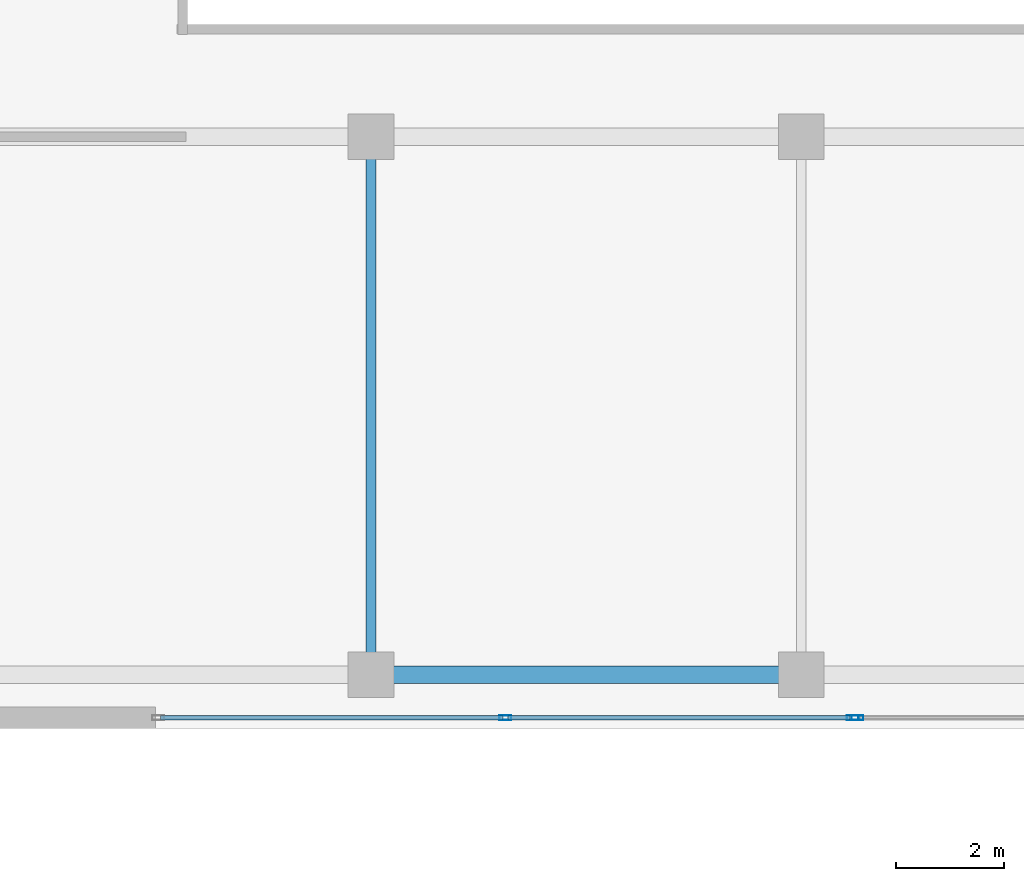
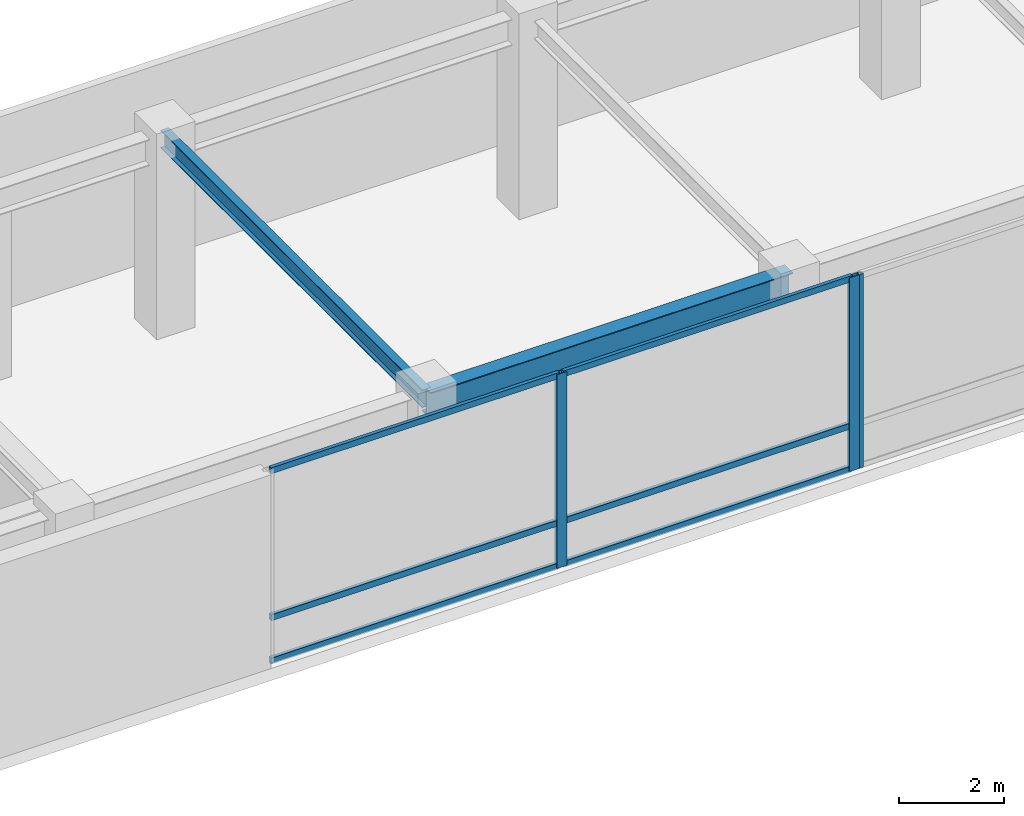
# One storey, part 13 of 40: 9 members, 2 beams, 2 elements without a shape of their own.
"""IFC4 building model written with IfcOpenShell, lengths in metres."""

from ifc_helpers import new_model, si_unit, direction, frame, origin, origin_2d, place, context, subcontext, project, spatial, hollow_rectangle, i_section, extrude, material, layer, layer_set, material_profile, profile_set, type_object, element, aggregate, save


model = new_model("IFC4")

# Units and contexts
model_context = context("Model", 3, precision=1e-05, world=origin(), true_north=direction((0.0, 1.0)))
body_context = subcontext(model_context, "Body", "Model", "MODEL_VIEW")
ifc_project = project(units=[si_unit("LENGTHUNIT", "METRE"), si_unit("AREAUNIT", "SQUARE_METRE"), si_unit("VOLUMEUNIT", "CUBIC_METRE"), si_unit("PLANEANGLEUNIT", "RADIAN"), si_unit("MASSUNIT", "GRAM", prefix="KILO")], contexts=[model_context])

# Site, building, storey
site_placement = place(None, origin())
site = spatial("IfcSite", under=ifc_project, at=site_placement, CompositionType="ELEMENT")
building_placement = place(site_placement, origin())
building = spatial("IfcBuilding", under=site, at=building_placement, Name="Kazevale Care Tower and Concert Hall", CompositionType="ELEMENT")
storey_placement = place(building_placement, frame((0.0, 0.0, 4.800048828125)))
storey = spatial("IfcBuildingStorey", under=building, at=storey_placement, Name="L01", CompositionType="ELEMENT", Elevation=4.800048828125)

# Curtain wall, members
ifc_material_1 = material(Name="Aluminium 6063-T6 and Low-E Glass", Category="aluminium")
ifc_layer = layer(ifc_material_1, 0.179931640625)
ifc_layer_set = layer_set([ifc_layer], Name="Aluminium 6063-T6 and Low-E Glass")
curtain_wall_type = type_object("IfcCurtainWallType", Name="Concert Hall Foyer Storefront Curtain Wall CW-6", PredefinedType="NOTDEFINED", material=ifc_layer_set)
curtain_wall_1_placement = place(storey_placement, origin())
curtain_wall_1 = element("IfcCurtainWall", 1, at=curtain_wall_1_placement, inside=storey, type_object=curtain_wall_type, Name="cw:L01:hall:S2", PredefinedType="NOTDEFINED")
ifc_material_2 = material(Name="Aluminium 6063-T6", Category="aluminium")
ifc_material_profile_1 = material_profile(ifc_material_2, hollow_rectangle(XDim=0.090087890625, YDim=0.219970703125, WallThickness=0.0048828125, at=origin_2d()), Name="ALU90x220x5")
ifc_profile_set_1 = profile_set([ifc_material_profile_1], Name="Aluminium 6063-T6")
member_type_1 = type_object("IfcMemberType", Name="CW-6 Mullion ALU90x220x5", PredefinedType="MULLION", material=ifc_profile_set_1)
member_1_placement = place(storey_placement, frame((114.5, 14.199951171875, 0.0), z_axis=(0.0, 0.0, 1.0), x_axis=(0.0, 1.0, 0.0)))
member_1 = element("IfcMember", 2, at=member_1_placement, type_object=member_type_1, Name="CW-6 mullion 2", PredefinedType="MULLION", context=body_context, shape_type="SweptSolid", body=[
    extrude(hollow_rectangle(XDim=0.090087890625, YDim=0.219970703125, WallThickness=0.0048828125, at=origin_2d()), origin(), (0.0, 0.0, 1.0), 4.52001953125),
])
member_2_placement = place(storey_placement, frame((120.955078125, 14.199951171875, 0.0), z_axis=(0.0, 0.0, 1.0), x_axis=(0.0, 1.0, 0.0)))
member_2 = element("IfcMember", 3, at=member_2_placement, type_object=member_type_1, Name="CW-6 mullion 3", PredefinedType="MULLION", context=body_context, shape_type="SweptSolid", body=[
    extrude(hollow_rectangle(XDim=0.090087890625, YDim=0.219970703125, WallThickness=0.0048828125, at=origin_2d()), origin(), (0.0, 0.0, 1.0), 4.52001953125),
])

# Curtain wall, member
curtain_wall_2_placement = place(storey_placement, origin())
curtain_wall_2 = element("IfcCurtainWall", 4, at=curtain_wall_2_placement, inside=storey, type_object=curtain_wall_type, Name="cw:L01:hall:S3", PredefinedType="NOTDEFINED")
member_3_placement = place(storey_placement, frame((121.044921875, 14.199951171875, 0.0), z_axis=(0.0, 0.0, 1.0), x_axis=(0.0, 1.0, 0.0)))
member_3 = element("IfcMember", 5, at=member_3_placement, type_object=member_type_1, Name="CW-6 mullion 1", PredefinedType="MULLION", context=body_context, shape_type="SweptSolid", body=[
    extrude(hollow_rectangle(XDim=0.090087890625, YDim=0.219970703125, WallThickness=0.0048828125, at=origin_2d()), origin(), (0.0, 0.0, 1.0), 4.52001953125),
])
aggregate(curtain_wall_2, [member_3])

# Member
ifc_material_profile_2 = material_profile(ifc_material_2, hollow_rectangle(XDim=0.080078125, YDim=0.139892578125, WallThickness=0.00390625, at=origin_2d()), Name="ALU80x140x4")
ifc_profile_set_2 = profile_set([ifc_material_profile_2], Name="Aluminium 6063-T6")
member_type_2 = type_object("IfcMemberType", Name="CW-6 Transom ALU80x140x4", PredefinedType="USERDEFINED", material=ifc_profile_set_2)
member_4_placement = place(storey_placement, frame((108.090087890625, 14.199951171875, 0.0400390625), z_axis=(1.0, 0.0, 0.0), x_axis=(0.0, 1.0, 0.0)))
member_4 = element("IfcMember", 6, at=member_4_placement, type_object=member_type_2, Name="CW-6 transom 1.1", ObjectType="TRANSOM", PredefinedType="USERDEFINED", context=body_context, shape_type="SweptSolid", body=[
    extrude(hollow_rectangle(XDim=0.080078125, YDim=0.139892578125, WallThickness=0.00390625, at=origin_2d()), origin(), (0.0, 0.0, 1.0), 6.364990234375),
])

member_5_placement = place(storey_placement, frame((108.090087890625, 14.199951171875, 1.050048828125), z_axis=(1.0, 0.0, 0.0), x_axis=(0.0, 1.0, 0.0)))
member_5 = element("IfcMember", 7, at=member_5_placement, type_object=member_type_2, Name="CW-6 transom 1.2", ObjectType="TRANSOM", PredefinedType="USERDEFINED", context=body_context, shape_type="SweptSolid", body=[
    extrude(hollow_rectangle(XDim=0.080078125, YDim=0.139892578125, WallThickness=0.00390625, at=origin_2d()), origin(), (0.0, 0.0, 1.0), 6.364990234375),
])

member_6_placement = place(storey_placement, frame((108.090087890625, 14.199951171875, 4.47998046875), z_axis=(1.0, 0.0, 0.0), x_axis=(0.0, 1.0, 0.0)))
member_6 = element("IfcMember", 8, at=member_6_placement, type_object=member_type_2, Name="CW-6 transom 1.3", ObjectType="TRANSOM", PredefinedType="USERDEFINED", context=body_context, shape_type="SweptSolid", body=[
    extrude(hollow_rectangle(XDim=0.080078125, YDim=0.139892578125, WallThickness=0.00390625, at=origin_2d()), origin(), (0.0, 0.0, 1.0), 6.364990234375),
])

member_7_placement = place(storey_placement, frame((114.544921875, 14.199951171875, 0.0400390625), z_axis=(1.0, 0.0, 0.0), x_axis=(0.0, 1.0, 0.0)))
member_7 = element("IfcMember", 9, at=member_7_placement, type_object=member_type_2, Name="CW-6 transom 2.1", ObjectType="TRANSOM", PredefinedType="USERDEFINED", context=body_context, shape_type="SweptSolid", body=[
    extrude(hollow_rectangle(XDim=0.080078125, YDim=0.139892578125, WallThickness=0.00390625, at=origin_2d()), origin(), (0.0, 0.0, 1.0), 6.364990234375),
])

member_8_placement = place(storey_placement, frame((114.544921875, 14.199951171875, 1.050048828125), z_axis=(1.0, 0.0, 0.0), x_axis=(0.0, 1.0, 0.0)))
member_8 = element("IfcMember", 10, at=member_8_placement, type_object=member_type_2, Name="CW-6 transom 2.2", ObjectType="TRANSOM", PredefinedType="USERDEFINED", context=body_context, shape_type="SweptSolid", body=[
    extrude(hollow_rectangle(XDim=0.080078125, YDim=0.139892578125, WallThickness=0.00390625, at=origin_2d()), origin(), (0.0, 0.0, 1.0), 6.364990234375),
])

member_9_placement = place(storey_placement, frame((114.544921875, 14.199951171875, 4.47998046875), z_axis=(1.0, 0.0, 0.0), x_axis=(0.0, 1.0, 0.0)))
member_9 = element("IfcMember", 11, at=member_9_placement, type_object=member_type_2, Name="CW-6 transom 2.3", ObjectType="TRANSOM", PredefinedType="USERDEFINED", context=body_context, shape_type="SweptSolid", body=[
    extrude(hollow_rectangle(XDim=0.080078125, YDim=0.139892578125, WallThickness=0.00390625, at=origin_2d()), origin(), (0.0, 0.0, 1.0), 6.364990234375),
])

aggregate(curtain_wall_1, [member_1, member_2, member_4, member_5, member_6, member_7, member_8, member_9])

# Beams
ifc_material_3 = material(Name="Steel ASTM A572 Gr 50", Category="steel")
ifc_material_profile_3 = material_profile(ifc_material_3, i_section(OverallWidth=0.323974609375, OverallDepth=0.611083984375, WebThickness=0.0126953125, FlangeThickness=0.01904296875, at=origin_2d()), Name="W610x155")
ifc_profile_set_3 = profile_set([ifc_material_profile_3], Name="Steel ASTM A572 Gr 50")
beam_type_1 = type_object("IfcBeamType", Name="Concert Hall Frame Girder W610x155", PredefinedType="BEAM", material=ifc_profile_set_3)
beam_1_placement = place(storey_placement, frame((112.0, 15.0, 4.21435546875), z_axis=(1.0, 0.0, 0.0), x_axis=(0.0, 1.0, 0.0)))
element("IfcBeam", 12, at=beam_1_placement, inside=storey, type_object=beam_type_1, Name="beam:L01:hx:112_15", PredefinedType="BEAM", context=body_context, shape_type="SweptSolid", body=[
    extrude(i_section(OverallWidth=0.323974609375, OverallDepth=0.611083984375, WebThickness=0.0126953125, FlangeThickness=0.01904296875, at=origin_2d()), origin(), (0.0, 0.0, 1.0), 8.0),
])
ifc_material_profile_4 = material_profile(ifc_material_3, i_section(OverallWidth=0.180908203125, OverallDepth=0.4169921875, WebThickness=0.010986328125, FlangeThickness=0.018310546875, at=origin_2d()), Name="W410x85")
ifc_profile_set_4 = profile_set([ifc_material_profile_4], Name="Steel ASTM A572 Gr 50")
beam_type_2 = type_object("IfcBeamType", Name="Concert Hall Secondary Beam W410x85", PredefinedType="BEAM", material=ifc_profile_set_4)
beam_2_placement = place(storey_placement, frame((112.0, 15.0, 4.3115234375), z_axis=(0.0, 1.0, 0.0), x_axis=(-1.0, 0.0, 0.0)))
element("IfcBeam", 13, at=beam_2_placement, inside=storey, type_object=beam_type_2, Name="beam:L01:hy:112_15", PredefinedType="BEAM", context=body_context, shape_type="SweptSolid", body=[
    extrude(i_section(OverallWidth=0.180908203125, OverallDepth=0.4169921875, WebThickness=0.010986328125, FlangeThickness=0.018310546875, at=origin_2d()), origin(), (0.0, 0.0, 1.0), 10.0),
])

save(model, "model.ifc")
